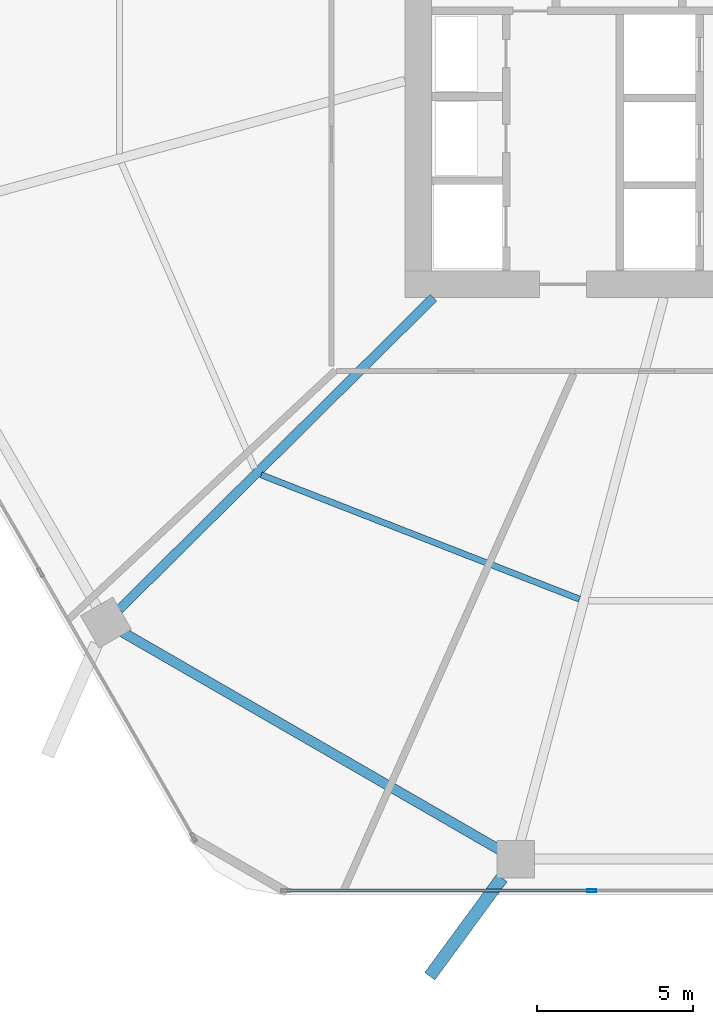
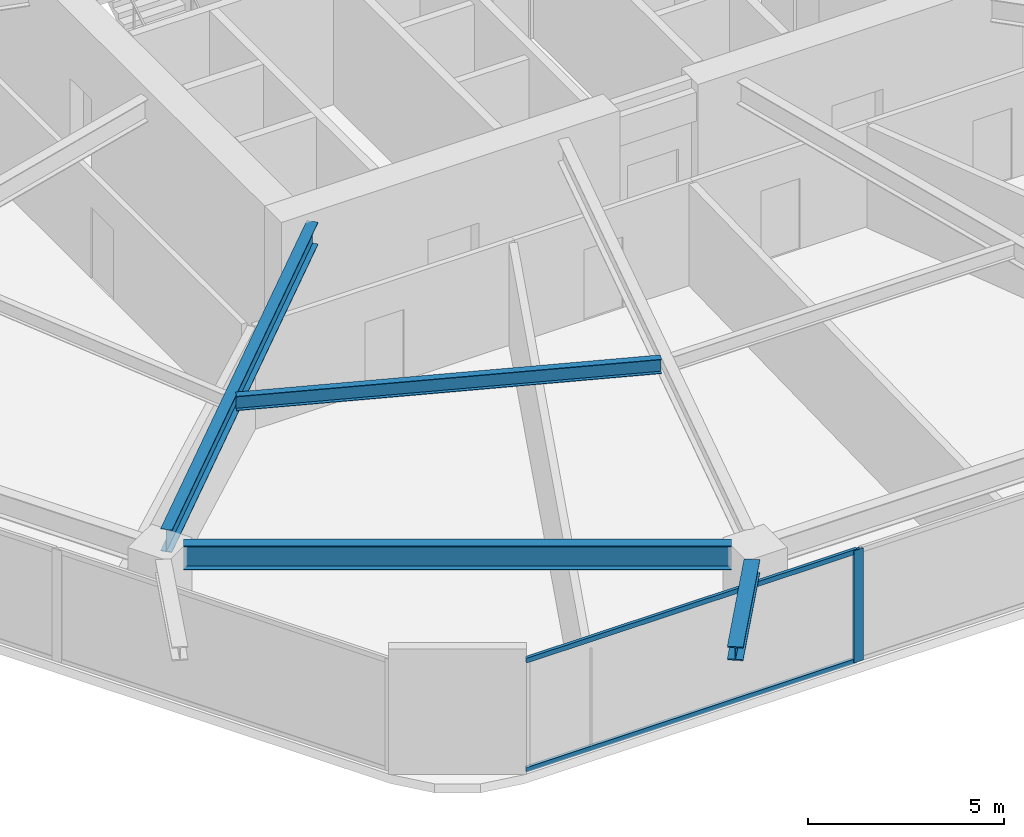
# One storey, part 3 of 25: 4 beams, 3 members, 1 element without a shape of its own.
"""IFC4 building model written with IfcOpenShell, lengths in metres."""

import ifcopenshell
import ifcopenshell.guid

model = None  # the IFC model being written
_history = None  # IfcOwnerHistory: only IFC2X3 demands one
_inside = {}  # id of a spatial element -> (the spatial element, [elements in it])
_under = {}  # id of a project, library or spatial element -> (it, [spatial elements below it])
_declared = {}  # id of a project -> (the project, [libraries it declares])
_typed = {}  # id of a type object -> (the type object, [elements of that type])
_made_of = {}  # id of a material, layer set ... -> (it, [elements and type objects made of it])


def new_model(schema):
    """Start an empty IFC model of exactly this schema.

    Asked for "IFC4X3", IfcOpenShell would pick the latest addendum, in which some entities
    have other attributes; the version numbers below select the first issue.
    IFC2X3 requires an IfcOwnerHistory on every rooted entity: one is made here for all.
    """
    global model, _history
    if schema == "IFC4X3":
        model = ifcopenshell.file(schema_version=(4, 3, 0, 0))
    else:
        model = ifcopenshell.file(schema=schema)
    _inside.clear()
    _under.clear()
    _declared.clear()
    _typed.clear()
    _made_of.clear()
    _history = None
    if model.schema == "IFC2X3":
        org = make("IfcOrganization", Name="unknown")
        user = make(
            "IfcPersonAndOrganization",
            ThePerson=make("IfcPerson", FamilyName="unknown"),
            TheOrganization=org,
        )
        app = make(
            "IfcApplication",
            ApplicationDeveloper=org,
            Version="unknown",
            ApplicationFullName="unknown",
            ApplicationIdentifier="unknown",
        )
        _history = make(
            "IfcOwnerHistory",
            OwningUser=user,
            OwningApplication=app,
            ChangeAction="ADDED",
            CreationDate=0,
        )
    return model


def make(cls, **values):
    """One entity of the class cls with the attributes given. An attribute that is None is left unset."""
    return model.create_entity(
        cls, **{name: value for name, value in values.items() if value is not None}
    )


def rooted(cls, **values):
    """An entity with a GlobalId (a new one), such as an element, a storey or a relation."""
    return make(cls, GlobalId=ifcopenshell.guid.new(), OwnerHistory=_history, **values)


def si_unit(unit_type, name, prefix=None):
    """IfcSIUnit, for example si_unit("LENGTHUNIT", "METRE", prefix="MILLI")."""
    return make("IfcSIUnit", UnitType=unit_type, Prefix=prefix, Name=name)


def assignment(units):
    """IfcUnitAssignment: the units of a project."""
    return None if units is None else make("IfcUnitAssignment", Units=units)


def point(xyz):
    """IfcCartesianPoint."""
    return None if xyz is None else make("IfcCartesianPoint", Coordinates=xyz)


def direction(xyz):
    """IfcDirection."""
    return None if xyz is None else make("IfcDirection", DirectionRatios=xyz)


def frame(location, z_axis=None, x_axis=None):
    """IfcAxis2Placement3D, a coordinate frame: its origin and axes. An axis left out is left unset."""
    return make(
        "IfcAxis2Placement3D",
        Location=point(location),
        Axis=direction(z_axis),
        RefDirection=direction(x_axis),
    )


def frame_2d(location, x_axis=None):
    """IfcAxis2Placement2D, a coordinate frame in the plane: its origin and x axis."""
    return make(
        "IfcAxis2Placement2D", Location=point(location), RefDirection=direction(x_axis)
    )


def origin():
    """The frame at (0, 0, 0) with its axes left unset."""
    return frame((0.0, 0.0, 0.0))


def origin_2d():
    """The frame at (0, 0) in the plane with its x axis left unset."""
    return frame_2d((0.0, 0.0))


def place(relative_to, where):
    """IfcLocalPlacement: puts the frame where relative to a parent placement (None: the world)."""
    return make(
        "IfcLocalPlacement", PlacementRelTo=relative_to, RelativePlacement=where
    )


def context(
    kind, dimensions, precision=None, world=None, true_north=None, identifier=None
):
    """IfcGeometricRepresentationContext, for example the 3D "Model" context."""
    return make(
        "IfcGeometricRepresentationContext",
        ContextIdentifier=identifier,
        ContextType=kind,
        CoordinateSpaceDimension=dimensions,
        Precision=precision,
        WorldCoordinateSystem=world,
        TrueNorth=true_north,
    )


def subcontext(parent, identifier, kind, view, scale=None):
    """IfcGeometricRepresentationSubContext, for example "Body" below "Model"."""
    return make(
        "IfcGeometricRepresentationSubContext",
        ContextIdentifier=identifier,
        ContextType=kind,
        ParentContext=parent,
        TargetScale=scale,
        TargetView=view,
    )


def project(units=None, contexts=None):
    """IfcProject with its units and contexts."""
    return rooted(
        "IfcProject",
        Name="project",
        RepresentationContexts=contexts,
        UnitsInContext=assignment(units),
    )


def spatial(cls, under=None, at=None, **own):
    """A site, building, storey or space (cls), placed at a placement, below another one or the project."""
    s = rooted(cls, ObjectPlacement=at, **own)
    if under is not None:
        _under.setdefault(under.id(), (under, []))[1].append(s)
    return s


def profile(cls, at=None, kind="AREA", **sizes):
    """A parametric profile (cls). Its sizes go by their IFC names, for example OverallWidth=200.0."""
    return make(cls, ProfileType=kind, Position=at, **sizes)


def hollow_rectangle(**sizes):
    """IfcRectangleHollowProfileDef."""
    return profile("IfcRectangleHollowProfileDef", **sizes)


def i_section(**sizes):
    """IfcIShapeProfileDef."""
    return profile("IfcIShapeProfileDef", **sizes)


def extrude(swept, where, along, depth):
    """IfcExtrudedAreaSolid: the profile swept, set in the frame where, extruded along a direction by depth."""
    return make(
        "IfcExtrudedAreaSolid",
        SweptArea=swept,
        Position=where,
        ExtrudedDirection=direction(along),
        Depth=depth,
    )


def shape(context_of_items, identifier, shape_type, items):
    """IfcShapeRepresentation: the items that make up one representation, for example the "Body"."""
    return make(
        "IfcShapeRepresentation",
        ContextOfItems=context_of_items,
        RepresentationIdentifier=identifier,
        RepresentationType=shape_type,
        Items=items,
    )


def material(Name=None, Category=None):
    """IfcMaterial."""
    return make("IfcMaterial", Name=Name, Category=Category)


def material_profile(
    of_material, cross_section, Name=None, Category=None, Priority=None
):
    """IfcMaterialProfile: a cross section and its material."""
    return make(
        "IfcMaterialProfile",
        Name=Name,
        Material=of_material,
        Profile=cross_section,
        Priority=Priority,
        Category=Category,
    )


def profile_set(profiles, Name=None, composite=None):
    """IfcMaterialProfileSet."""
    return make(
        "IfcMaterialProfileSet",
        Name=Name,
        MaterialProfiles=profiles,
        CompositeProfile=composite,
    )


def made_of(thing, what):
    """Note that an element or type object is made of a material, layer set ...; save() writes the relation."""
    if what is not None:
        _made_of.setdefault(what.id(), (what, []))[1].append(thing)
    return thing


def type_object(cls, material=None, **own):
    """A type object (cls), such as IfcWallType, which elements share."""
    return made_of(rooted(cls, **own), material)


def element(
    cls,
    number,
    at=None,
    inside=None,
    cuts=None,
    type_object=None,
    material=None,
    context=None,
    identifier="Body",
    shape_type=None,
    held_by="IfcProductDefinitionShape",
    body=None,
    shapes=None,
    **own,
):
    """One element of the class cls, such as IfcWall. Its Tag is "e" and its number.

    at: its placement. inside: the storey or other place that contains it. cuts: it is an
    opening in that element (IfcRelVoidsElement). A single representation is given by context,
    identifier, shape_type and body (its items); several are given by shapes. held_by: the class
    of the entity that holds the representations. save() writes the other relations.
    """
    e = rooted(cls, Tag="e%d" % number, ObjectPlacement=at, **own)
    if body is not None:
        shapes = [shape(context, identifier, shape_type, body)]
    if shapes is not None:
        e.Representation = make(held_by, Representations=shapes)
    if inside is not None:
        _inside.setdefault(inside.id(), (inside, []))[1].append(e)
    if cuts is not None:
        rooted(
            "IfcRelVoidsElement", RelatingBuildingElement=cuts, RelatedOpeningElement=e
        )
    if type_object is not None:
        _typed.setdefault(type_object.id(), (type_object, []))[1].append(e)
    return made_of(e, material)


def aggregate(whole, parts):
    """IfcRelAggregates: a whole, such as a stair, and the parts it consists of."""
    return rooted("IfcRelAggregates", RelatingObject=whole, RelatedObjects=parts)


def save(model, path):
    """Write the relations noted so far, then the file.

    IfcRelAggregates (storeys below a building ...), IfcRelContainedInSpatialStructure (elements
    in a storey), IfcRelDefinesByType, IfcRelAssociatesMaterial and IfcRelDeclares: one each for
    every whole, place, type object, material and project.
    """
    for whole, parts in _under.values():
        aggregate(whole, parts)
    for where, things in _inside.values():
        rooted(
            "IfcRelContainedInSpatialStructure",
            RelatedElements=things,
            RelatingStructure=where,
        )
    for kind, things in _typed.values():
        rooted("IfcRelDefinesByType", RelatedObjects=things, RelatingType=kind)
    for what, things in _made_of.values():
        rooted("IfcRelAssociatesMaterial", RelatedObjects=things, RelatingMaterial=what)
    for by, libraries in _declared.values():
        rooted("IfcRelDeclares", RelatingContext=by, RelatedDefinitions=libraries)
    model.write(path)


model = new_model("IFC4")

# Units and contexts
model_context = context("Model", 3, precision=1e-05, world=origin(), true_north=direction((0.0, 1.0)))
body_context = subcontext(model_context, "Body", "Model", "MODEL_VIEW")
ifc_project = project(units=[si_unit("LENGTHUNIT", "METRE"), si_unit("AREAUNIT", "SQUARE_METRE"), si_unit("VOLUMEUNIT", "CUBIC_METRE"), si_unit("PLANEANGLEUNIT", "RADIAN"), si_unit("MASSUNIT", "GRAM", prefix="KILO")], contexts=[model_context])

# Site, building, storey
site_placement = place(None, origin())
site = spatial("IfcSite", under=ifc_project, at=site_placement, CompositionType="ELEMENT")
building_placement = place(site_placement, origin())
building = spatial("IfcBuilding", under=site, at=building_placement, Name="Zuhravey Tower", CompositionType="ELEMENT")
storey_placement = place(building_placement, frame((0.0, 0.0, 70.800048828125)))
storey = spatial("IfcBuildingStorey", under=building, at=storey_placement, Name="L17", CompositionType="ELEMENT", Elevation=70.800048828125)

# Curtain wall, members
ifc_material_1 = material(Name="Thermally broken anodised aluminium", Category="aluminium")
curtain_wall_type = type_object("IfcCurtainWallType", Name="School Low-E Unitised Curtain Wall CW1", PredefinedType="NOTDEFINED", material=ifc_material_1)
curtain_wall_placement = place(storey_placement, origin())
curtain_wall = element("IfcCurtainWall", 1, at=curtain_wall_placement, inside=storey, type_object=curtain_wall_type, Name="L17 CW1 CW-L17-F5-1", PredefinedType="NOTDEFINED")
ifc_material_2 = material(Name="Anodised aluminium", Category="aluminium")
ifc_material_profile_1 = material_profile(ifc_material_2, hollow_rectangle(XDim=0.090087890625, YDim=0.284912109375, WallThickness=0.0048828125, at=origin_2d()), Name="ALU-RHS-90x285x5")
ifc_profile_set_1 = profile_set([ifc_material_profile_1], Name="Anodised aluminium")
member_type_1 = type_object("IfcMemberType", Name="Curtain-Wall Mullion 90x180", PredefinedType="MULLION", material=ifc_profile_set_1)
member_1_placement = place(storey_placement, frame((31.06689453125, 3.04150390625, 0.0), z_axis=(0.0, 0.0, 1.0), x_axis=(0.0, -1.0, 0.0)))
member_1 = element("IfcMember", 2, at=member_1_placement, type_object=member_type_1, Name="CW1 mullion 3", PredefinedType="MULLION", context=body_context, shape_type="SweptSolid", body=[
    extrude(hollow_rectangle(XDim=0.090087890625, YDim=0.284912109375, WallThickness=0.0048828125, at=origin_2d()), origin(), (0.0, 0.0, 1.0), 3.491943359375),
])
ifc_material_profile_2 = material_profile(ifc_material_2, hollow_rectangle(XDim=0.090087890625, YDim=0.14990234375, WallThickness=0.0048828125, at=origin_2d()), Name="ALU-RHS-90x150x5")
ifc_profile_set_2 = profile_set([ifc_material_profile_2], Name="Anodised aluminium")
member_type_2 = type_object("IfcMemberType", Name="Curtain-Wall Transom 90x150", PredefinedType="USERDEFINED", material=ifc_profile_set_2)
member_2_placement = place(storey_placement, frame((31.021728515625, 3.04150390625, 0.044921875), z_axis=(-1.0, 0.0, 0.0), x_axis=(0.0, -1.0, 0.0)))
member_2 = element("IfcMember", 3, at=member_2_placement, type_object=member_type_2, Name="CW1 transom 3.1", ObjectType="TRANSOM", PredefinedType="USERDEFINED", context=body_context, shape_type="SweptSolid", body=[
    extrude(hollow_rectangle(XDim=0.090087890625, YDim=0.14990234375, WallThickness=0.0048828125, at=origin_2d()), origin(), (0.0, 0.0, 1.0), 9.731201171875),
])
member_3_placement = place(storey_placement, frame((31.021728515625, 3.04150390625, 3.447021484375), z_axis=(-1.0, 0.0, 0.0), x_axis=(0.0, -1.0, 0.0)))
member_3 = element("IfcMember", 4, at=member_3_placement, type_object=member_type_2, Name="CW1 transom 3.2", ObjectType="TRANSOM", PredefinedType="USERDEFINED", context=body_context, shape_type="SweptSolid", body=[
    extrude(hollow_rectangle(XDim=0.090087890625, YDim=0.14990234375, WallThickness=0.0048828125, at=origin_2d()), origin(), (0.0, 0.0, 1.0), 9.731201171875),
])
aggregate(curtain_wall, [member_1, member_2, member_3])

# Beams
ifc_material_3 = material(Name="Steel SM460", Category="steel")
ifc_material_profile_3 = material_profile(ifc_material_3, i_section(OverallWidth=0.406982421875, OverallDepth=0.427978515625, WebThickness=0.02001953125, FlangeThickness=0.034912109375, at=origin_2d()), Name="H-428x407x20x35")
ifc_profile_set_3 = profile_set([ifc_material_profile_3], Name="Steel SM460")
beam_type_1 = type_object("IfcBeamType", Name="Exoskeleton Node Tie Beam H428x407", PredefinedType="BEAM", material=ifc_profile_set_3)
beam_1_placement = place(storey_placement, frame((28.187255859375, 3.4482421875, 3.7060546875), z_axis=(-0.591671978423, -0.806178807678, 0.0), x_axis=(0.806178807678, -0.591671978423, 0.0)))
element("IfcBeam", 5, at=beam_1_placement, inside=storey, type_object=beam_type_1, Name="L17 Exoskeleton Node Tie NT1-09", PredefinedType="BEAM", context=body_context, shape_type="SweptSolid", body=[
    extrude(i_section(OverallWidth=0.406982421875, OverallDepth=0.427978515625, WebThickness=0.02001953125, FlangeThickness=0.034912109375, at=origin_2d()), origin(), (0.0, 0.0, 1.0), 3.912841796875),
])
ifc_material_4 = material(Name="Steel SM355", Category="steel")
ifc_material_profile_4 = material_profile(ifc_material_4, i_section(OverallWidth=0.320068359375, OverallDepth=0.75, WebThickness=0.013916015625, FlangeThickness=0.02490234375, at=origin_2d()), Name="H-750x320x14x25")
ifc_profile_set_4 = profile_set([ifc_material_profile_4], Name="Steel SM355")
beam_type_2 = type_object("IfcBeamType", Name="Perimeter Ring Beam H750x320", PredefinedType="BEAM", material=ifc_profile_set_4)
beam_2_placement = place(storey_placement, frame((16.003173828125, 11.341552734375, 3.544921875), z_axis=(0.866029969761, -0.499992091414, 0.0), x_axis=(0.499992091414, 0.866029969761, 0.0)))
element("IfcBeam", 6, at=beam_2_placement, inside=storey, type_object=beam_type_2, Name="L17 PB1 BM-L17-PB-08", PredefinedType="BEAM", context=body_context, shape_type="SweptSolid", body=[
    extrude(i_section(OverallWidth=0.320068359375, OverallDepth=0.75, WebThickness=0.013916015625, FlangeThickness=0.02490234375, at=origin_2d()), origin(), (0.0, 0.0, 1.0), 13.977294921875),
])
ifc_material_profile_5 = material_profile(ifc_material_4, i_section(OverallWidth=0.300048828125, OverallDepth=0.699951171875, WebThickness=0.012939453125, FlangeThickness=0.02392578125, at=origin_2d()), Name="H-700x300x13x24")
ifc_profile_set_5 = profile_set([ifc_material_profile_5], Name="Steel SM355")
beam_type_3 = type_object("IfcBeamType", Name="Radial Primary Girder H700x300", PredefinedType="BEAM", material=ifc_profile_set_5)
beam_3_placement = place(storey_placement, frame((25.992919921875, 22.072021484375, 3.570068359375), z_axis=(-0.709902823282, -0.704299639, 0.0), x_axis=(0.704299639, -0.709902823282, 0.0)))
element("IfcBeam", 7, at=beam_3_placement, inside=storey, type_object=beam_type_3, Name="L17 RG1 BM-L17-RAD-08", PredefinedType="BEAM", context=body_context, shape_type="SweptSolid", body=[
    extrude(i_section(OverallWidth=0.300048828125, OverallDepth=0.699951171875, WebThickness=0.012939453125, FlangeThickness=0.02392578125, at=origin_2d()), origin(), (0.0, 0.0, 1.0), 14.204345703125),
])
ifc_material_profile_6 = material_profile(ifc_material_4, i_section(OverallWidth=0.199951171875, OverallDepth=0.449951171875, WebThickness=0.009033203125, FlangeThickness=0.013916015625, at=origin_2d()), Name="H-450x200x9x14")
ifc_profile_set_6 = profile_set([ifc_material_profile_6], Name="Steel SM355")
beam_type_4 = type_object("IfcBeamType", Name="Secondary Floor Joist H450x200", PredefinedType="JOIST", material=ifc_profile_set_6)
beam_4_placement = place(storey_placement, frame((20.4599609375, 16.38427734375, 3.695068359375), z_axis=(0.931516535886, -0.363698973562, 0.0), x_axis=(0.363698973562, 0.931516535886, 0.0)))
element("IfcBeam", 8, at=beam_4_placement, inside=storey, type_object=beam_type_4, Name="L17 SJ1 BM-L17-SJ-08-1", PredefinedType="JOIST", context=body_context, shape_type="SweptSolid", body=[
    extrude(i_section(OverallWidth=0.199951171875, OverallDepth=0.449951171875, WebThickness=0.009033203125, FlangeThickness=0.013916015625, at=origin_2d()), origin(), (0.0, 0.0, 1.0), 10.963134765625),
])

save(model, "model.ifc")
